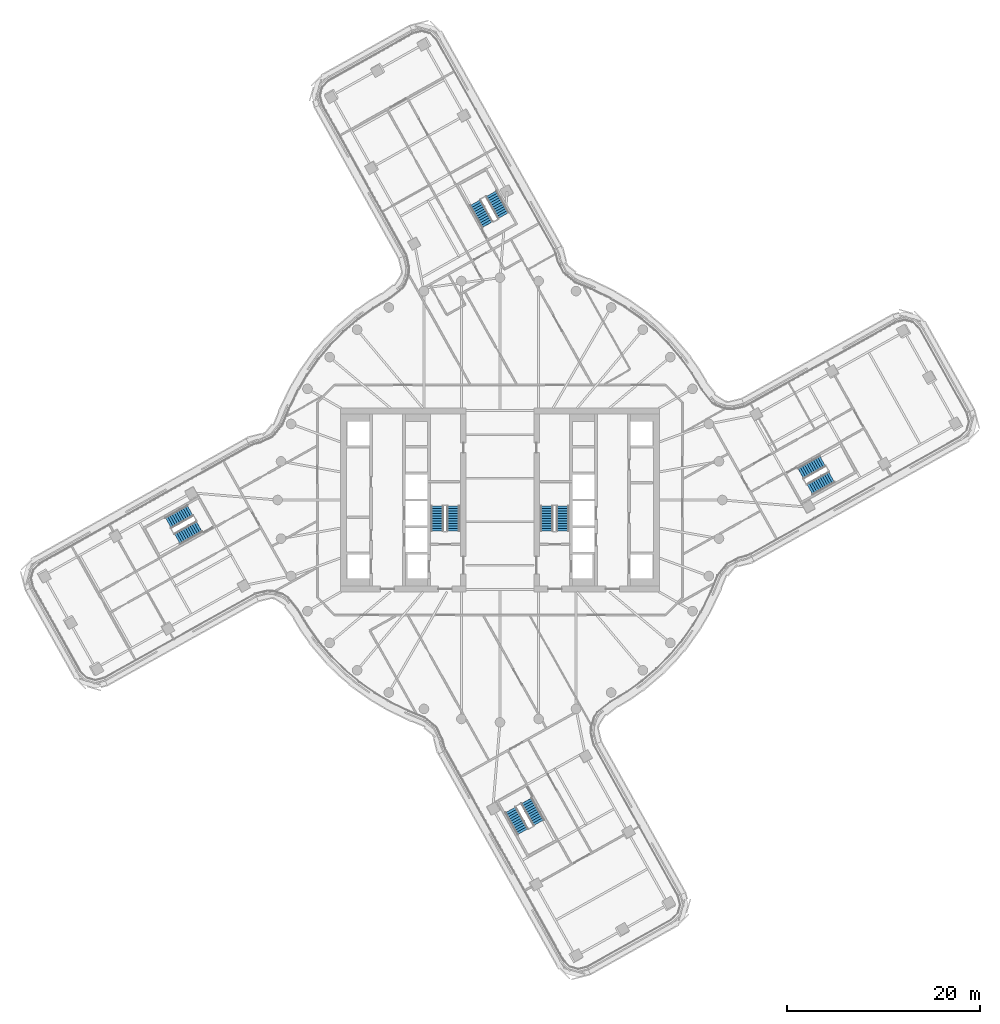
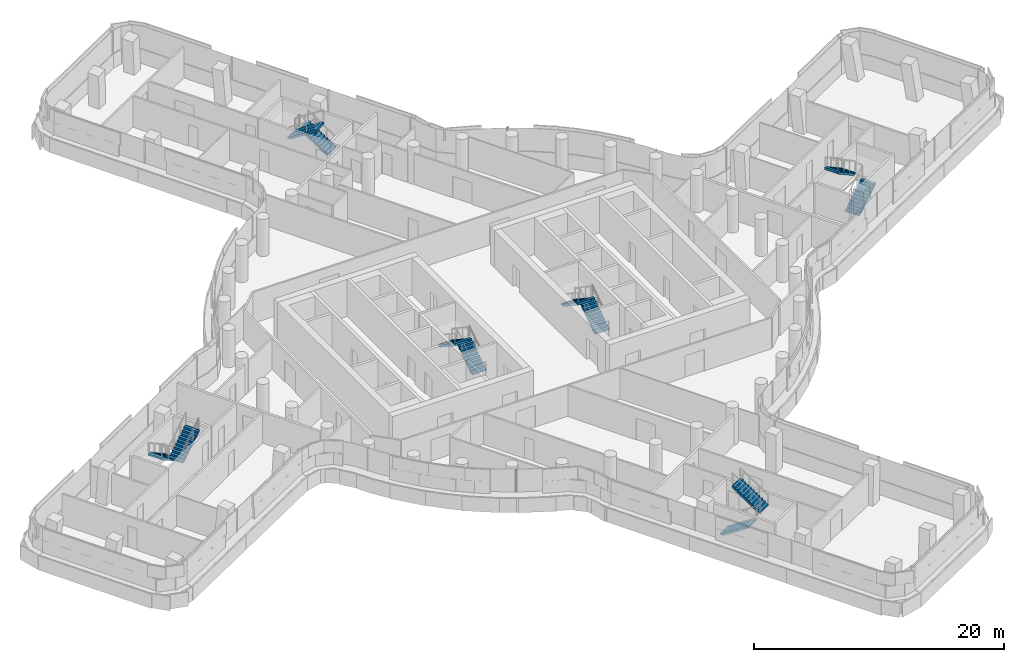
# One storey, part 26 of 34: 12 stair flights, 6 elements without a shape of their own.
"""IFC4 building model written with IfcOpenShell, lengths in metres."""

from ifc_helpers import new_model, si_unit, direction, frame, origin, place, context, subcontext, project, spatial, polyline, outline, extrude, material, type_object, element, aggregate, save


model = new_model("IFC4")

# Units and contexts
model_context = context("Model", 3, precision=1e-05, world=origin(), true_north=direction((0.0, 1.0)))
body_context = subcontext(model_context, "Body", "Model", "MODEL_VIEW")
ifc_project = project(units=[si_unit("LENGTHUNIT", "METRE"), si_unit("AREAUNIT", "SQUARE_METRE"), si_unit("VOLUMEUNIT", "CUBIC_METRE"), si_unit("PLANEANGLEUNIT", "RADIAN"), si_unit("MASSUNIT", "GRAM", prefix="KILO")], contexts=[model_context])

# Site, building, storey
site_placement = place(None, origin())
site = spatial("IfcSite", under=ifc_project, at=site_placement, CompositionType="ELEMENT")
building_placement = place(site_placement, origin())
building = spatial("IfcBuilding", under=site, at=building_placement, Name="Tamarind Cross Interchange Tower", CompositionType="ELEMENT")
storey_placement = place(building_placement, frame((0.0, 0.0, 140.5)))
storey = spatial("IfcBuildingStorey", under=building, at=storey_placement, Name="L34", CompositionType="ELEMENT", Elevation=140.5)

# Stair, stair flights
ifc_material_1 = material(Name="Exit stair")
stair_type = type_object("IfcStairType", Name="Exit stair", PredefinedType="HALF_TURN_STAIR", material=ifc_material_1)
stair_1_placement = place(storey_placement, origin())
stair_1 = element("IfcStair", 1, at=stair_1_placement, inside=storey, type_object=stair_type, Name="L34 exit stair ST1", PredefinedType="HALF_TURN_STAIR")
ifc_material_2 = material(Name="Exit stair flight")
stair_flight_type = type_object("IfcStairFlightType", Name="Exit stair flight", PredefinedType="STRAIGHT", material=ifc_material_2)
stair_flight_1_placement = place(storey_placement, frame((-4.85009765625, -3.199951171875, 0.0), z_axis=(0.0, 0.0, 1.0), x_axis=(0.0, 1.0, 0.0)))
stair_flight_1 = element("IfcStairFlight", 2, at=stair_flight_1_placement, type_object=stair_flight_type, Name="ST1 flight 1", NumberOfRisers=11, NumberOfTreads=10, PredefinedType="STRAIGHT", RiserHeight=0.170454545, TreadLength=0.26, context=body_context, shape_type="SweptSolid", body=[
    extrude(outline(polyline([(0.0, 0.0), (0.0, 0.17041015625), (0.260009765625, 0.17041015625), (0.260009765625, 0.3408203125), (0.52001953125, 0.3408203125), (0.52001953125, 0.511474609375), (0.780029296875, 0.511474609375), (0.780029296875, 0.681884765625), (1.0400390625, 0.681884765625), (1.0400390625, 0.852294921875), (1.300048828125, 0.852294921875), (1.300048828125, 1.022705078125), (1.56005859375, 1.022705078125), (1.56005859375, 1.193115234375), (1.820068359375, 1.193115234375), (1.820068359375, 1.363525390625), (2.080078125, 1.363525390625), (2.080078125, 1.5341796875), (2.340087890625, 1.5341796875), (2.340087890625, 1.70458984375), (2.60009765625, 1.70458984375), (2.60009765625, 1.875), (2.60009765625, 1.525390625), (0.2734375, 0.0), (0.0, 0.0)])), frame((0.0, 0.64990234375, 0.0), z_axis=(0.0, -1.0, 0.0), x_axis=(1.0, 0.0, 0.0)), (0.0, 0.0, 1.0), 1.300048828125),
])
stair_flight_2_placement = place(storey_placement, frame((-6.5, -0.60009765625, 1.875), z_axis=(0.0, 0.0, 1.0), x_axis=(0.0, -1.0, 0.0)))
stair_flight_2 = element("IfcStairFlight", 3, at=stair_flight_2_placement, type_object=stair_flight_type, Name="ST1 flight 2", NumberOfRisers=11, NumberOfTreads=10, PredefinedType="STRAIGHT", RiserHeight=0.170454545, TreadLength=0.26, context=body_context, shape_type="SweptSolid", body=[
    extrude(outline(polyline([(0.0, 0.0), (0.0, 0.17041015625), (0.260009765625, 0.17041015625), (0.260009765625, 0.3408203125), (0.52001953125, 0.3408203125), (0.52001953125, 0.511474609375), (0.780029296875, 0.511474609375), (0.780029296875, 0.681884765625), (1.0400390625, 0.681884765625), (1.0400390625, 0.852294921875), (1.300048828125, 0.852294921875), (1.300048828125, 1.022705078125), (1.56005859375, 1.022705078125), (1.56005859375, 1.193115234375), (1.820068359375, 1.193115234375), (1.820068359375, 1.363525390625), (2.080078125, 1.363525390625), (2.080078125, 1.5341796875), (2.340087890625, 1.5341796875), (2.340087890625, 1.70458984375), (2.60009765625, 1.70458984375), (2.60009765625, 1.7548828125), (2.612060546875, 1.7548828125), (2.612060546875, 1.533203125), (0.2734375, 0.0), (0.0, 0.0)])), frame((0.0, 0.64990234375, 0.0), z_axis=(0.0, -1.0, 0.0), x_axis=(1.0, 0.0, 0.0)), (0.0, 0.0, 1.0), 1.300048828125),
])
aggregate(stair_1, [stair_flight_1, stair_flight_2])

stair_2_placement = place(storey_placement, origin())
stair_2 = element("IfcStair", 4, at=stair_2_placement, inside=storey, type_object=stair_type, Name="L34 exit stair ST2", PredefinedType="HALF_TURN_STAIR")
stair_flight_3_placement = place(storey_placement, frame((6.5, -3.199951171875, 0.0), z_axis=(0.0, 0.0, 1.0), x_axis=(0.0, 1.0, 0.0)))
stair_flight_3 = element("IfcStairFlight", 5, at=stair_flight_3_placement, type_object=stair_flight_type, Name="ST2 flight 1", NumberOfRisers=11, NumberOfTreads=10, PredefinedType="STRAIGHT", RiserHeight=0.170454545, TreadLength=0.26, context=body_context, shape_type="SweptSolid", body=[
    extrude(outline(polyline([(0.0, 0.0), (0.0, 0.17041015625), (0.260009765625, 0.17041015625), (0.260009765625, 0.3408203125), (0.52001953125, 0.3408203125), (0.52001953125, 0.511474609375), (0.780029296875, 0.511474609375), (0.780029296875, 0.681884765625), (1.0400390625, 0.681884765625), (1.0400390625, 0.852294921875), (1.300048828125, 0.852294921875), (1.300048828125, 1.022705078125), (1.56005859375, 1.022705078125), (1.56005859375, 1.193115234375), (1.820068359375, 1.193115234375), (1.820068359375, 1.363525390625), (2.080078125, 1.363525390625), (2.080078125, 1.5341796875), (2.340087890625, 1.5341796875), (2.340087890625, 1.70458984375), (2.60009765625, 1.70458984375), (2.60009765625, 1.875), (2.60009765625, 1.525390625), (0.2734375, 0.0), (0.0, 0.0)])), frame((0.0, 0.64990234375, 0.0), z_axis=(0.0, -1.0, 0.0), x_axis=(1.0, 0.0, 0.0)), (0.0, 0.0, 1.0), 1.300048828125),
])
stair_flight_4_placement = place(storey_placement, frame((4.85009765625, -0.60009765625, 1.875), z_axis=(0.0, 0.0, 1.0), x_axis=(0.0, -1.0, 0.0)))
stair_flight_4 = element("IfcStairFlight", 6, at=stair_flight_4_placement, type_object=stair_flight_type, Name="ST2 flight 2", NumberOfRisers=11, NumberOfTreads=10, PredefinedType="STRAIGHT", RiserHeight=0.170454545, TreadLength=0.26, context=body_context, shape_type="SweptSolid", body=[
    extrude(outline(polyline([(0.0, 0.0), (0.0, 0.17041015625), (0.260009765625, 0.17041015625), (0.260009765625, 0.3408203125), (0.52001953125, 0.3408203125), (0.52001953125, 0.511474609375), (0.780029296875, 0.511474609375), (0.780029296875, 0.681884765625), (1.0400390625, 0.681884765625), (1.0400390625, 0.852294921875), (1.300048828125, 0.852294921875), (1.300048828125, 1.022705078125), (1.56005859375, 1.022705078125), (1.56005859375, 1.193115234375), (1.820068359375, 1.193115234375), (1.820068359375, 1.363525390625), (2.080078125, 1.363525390625), (2.080078125, 1.5341796875), (2.340087890625, 1.5341796875), (2.340087890625, 1.70458984375), (2.60009765625, 1.70458984375), (2.60009765625, 1.7548828125), (2.612060546875, 1.7548828125), (2.612060546875, 1.533203125), (0.2734375, 0.0), (0.0, 0.0)])), frame((0.0, 0.64990234375, 0.0), z_axis=(0.0, -1.0, 0.0), x_axis=(1.0, 0.0, 0.0)), (0.0, 0.0, 1.0), 1.300048828125),
])
aggregate(stair_2, [stair_flight_3, stair_flight_4])

stair_3_placement = place(storey_placement, origin())
stair_3 = element("IfcStair", 7, at=stair_3_placement, inside=storey, type_object=stair_type, Name="L34 exit stair ST3", PredefinedType="HALF_TURN_STAIR")
stair_flight_5_placement = place(storey_placement, frame((32.044189453125, 1.0986328125, 0.0), z_axis=(0.0, 0.0, 1.0), x_axis=(0.872458481082, 0.488688242939, 0.0)))
stair_flight_5 = element("IfcStairFlight", 8, at=stair_flight_5_placement, type_object=stair_flight_type, Name="ST3 flight 1", NumberOfRisers=11, NumberOfTreads=10, PredefinedType="STRAIGHT", RiserHeight=0.170454545, TreadLength=0.26, context=body_context, shape_type="SweptSolid", body=[
    extrude(outline(polyline([(0.0, 0.0), (0.0, 0.17041015625), (0.260009765625, 0.17041015625), (0.260009765625, 0.3408203125), (0.52001953125, 0.3408203125), (0.52001953125, 0.511474609375), (0.780029296875, 0.511474609375), (0.780029296875, 0.681884765625), (1.0400390625, 0.681884765625), (1.0400390625, 0.852294921875), (1.300048828125, 0.852294921875), (1.300048828125, 1.022705078125), (1.56005859375, 1.022705078125), (1.56005859375, 1.193115234375), (1.820068359375, 1.193115234375), (1.820068359375, 1.363525390625), (2.080078125, 1.363525390625), (2.080078125, 1.5341796875), (2.340087890625, 1.5341796875), (2.340087890625, 1.70458984375), (2.60009765625, 1.70458984375), (2.60009765625, 1.875), (2.60009765625, 1.525390625), (0.2734375, 0.0), (0.0, 0.0)])), frame((0.0, 0.64990234375, 0.0), z_axis=(0.0, -1.0, 0.0), x_axis=(1.0, 0.0, 0.0)), (0.0, 0.0, 1.0), 1.300048828125),
])
stair_flight_6_placement = place(storey_placement, frame((33.384033203125, 4.02685546875, 1.875), z_axis=(0.0, 0.0, 1.0), x_axis=(-0.872458481082, -0.488688242939, 0.0)))
stair_flight_6 = element("IfcStairFlight", 9, at=stair_flight_6_placement, type_object=stair_flight_type, Name="ST3 flight 2", NumberOfRisers=11, NumberOfTreads=10, PredefinedType="STRAIGHT", RiserHeight=0.170454545, TreadLength=0.26, context=body_context, shape_type="SweptSolid", body=[
    extrude(outline(polyline([(0.0, 0.0), (0.0, 0.17041015625), (0.260009765625, 0.17041015625), (0.260009765625, 0.3408203125), (0.52001953125, 0.3408203125), (0.52001953125, 0.511474609375), (0.780029296875, 0.511474609375), (0.780029296875, 0.681884765625), (1.0400390625, 0.681884765625), (1.0400390625, 0.852294921875), (1.300048828125, 0.852294921875), (1.300048828125, 1.022705078125), (1.56005859375, 1.022705078125), (1.56005859375, 1.193115234375), (1.820068359375, 1.193115234375), (1.820068359375, 1.363525390625), (2.080078125, 1.363525390625), (2.080078125, 1.5341796875), (2.340087890625, 1.5341796875), (2.340087890625, 1.70458984375), (2.60009765625, 1.70458984375), (2.60009765625, 1.7548828125), (2.612060546875, 1.7548828125), (2.612060546875, 1.533203125), (0.2734375, 0.0), (0.0, 0.0)])), frame((0.0, 0.64990234375, 0.0), z_axis=(0.0, -1.0, 0.0), x_axis=(1.0, 0.0, 0.0)), (0.0, 0.0, 1.0), 1.300048828125),
])
aggregate(stair_3, [stair_flight_5, stair_flight_6])

stair_4_placement = place(storey_placement, origin())
stair_4 = element("IfcStair", 10, at=stair_4_placement, inside=storey, type_object=stair_type, Name="L34 exit stair ST4", PredefinedType="HALF_TURN_STAIR")
stair_flight_7_placement = place(storey_placement, frame((0.367431640625, 29.4267578125, 0.0), z_axis=(0.0, 0.0, 1.0), x_axis=(-0.488688242939, 0.872458481082, 0.0)))
stair_flight_7 = element("IfcStairFlight", 11, at=stair_flight_7_placement, type_object=stair_flight_type, Name="ST4 flight 1", NumberOfRisers=11, NumberOfTreads=10, PredefinedType="STRAIGHT", RiserHeight=0.170454545, TreadLength=0.26, context=body_context, shape_type="SweptSolid", body=[
    extrude(outline(polyline([(0.0, 0.0), (0.0, 0.17041015625), (0.260009765625, 0.17041015625), (0.260009765625, 0.3408203125), (0.52001953125, 0.3408203125), (0.52001953125, 0.511474609375), (0.780029296875, 0.511474609375), (0.780029296875, 0.681884765625), (1.0400390625, 0.681884765625), (1.0400390625, 0.852294921875), (1.300048828125, 0.852294921875), (1.300048828125, 1.022705078125), (1.56005859375, 1.022705078125), (1.56005859375, 1.193115234375), (1.820068359375, 1.193115234375), (1.820068359375, 1.363525390625), (2.080078125, 1.363525390625), (2.080078125, 1.5341796875), (2.340087890625, 1.5341796875), (2.340087890625, 1.70458984375), (2.60009765625, 1.70458984375), (2.60009765625, 1.875), (2.60009765625, 1.525390625), (0.2734375, 0.0), (0.0, 0.0)])), frame((0.0, 0.64990234375, 0.0), z_axis=(0.0, -1.0, 0.0), x_axis=(1.0, 0.0, 0.0)), (0.0, 0.0, 1.0), 1.300048828125),
])
stair_flight_8_placement = place(storey_placement, frame((-2.560791015625, 30.7666015625, 1.875), z_axis=(0.0, 0.0, 1.0), x_axis=(0.488688242939, -0.872458481082, 0.0)))
stair_flight_8 = element("IfcStairFlight", 12, at=stair_flight_8_placement, type_object=stair_flight_type, Name="ST4 flight 2", NumberOfRisers=11, NumberOfTreads=10, PredefinedType="STRAIGHT", RiserHeight=0.170454545, TreadLength=0.26, context=body_context, shape_type="SweptSolid", body=[
    extrude(outline(polyline([(0.0, 0.0), (0.0, 0.17041015625), (0.260009765625, 0.17041015625), (0.260009765625, 0.3408203125), (0.52001953125, 0.3408203125), (0.52001953125, 0.511474609375), (0.780029296875, 0.511474609375), (0.780029296875, 0.681884765625), (1.0400390625, 0.681884765625), (1.0400390625, 0.852294921875), (1.300048828125, 0.852294921875), (1.300048828125, 1.022705078125), (1.56005859375, 1.022705078125), (1.56005859375, 1.193115234375), (1.820068359375, 1.193115234375), (1.820068359375, 1.363525390625), (2.080078125, 1.363525390625), (2.080078125, 1.5341796875), (2.340087890625, 1.5341796875), (2.340087890625, 1.70458984375), (2.60009765625, 1.70458984375), (2.60009765625, 1.7548828125), (2.612060546875, 1.7548828125), (2.612060546875, 1.533203125), (0.2734375, 0.0), (0.0, 0.0)])), frame((0.0, 0.64990234375, 0.0), z_axis=(0.0, -1.0, 0.0), x_axis=(1.0, 0.0, 0.0)), (0.0, 0.0, 1.0), 1.300048828125),
])
aggregate(stair_4, [stair_flight_7, stair_flight_8])

stair_5_placement = place(storey_placement, origin())
stair_5 = element("IfcStair", 13, at=stair_5_placement, inside=storey, type_object=stair_type, Name="L34 exit stair ST5", PredefinedType="HALF_TURN_STAIR")
stair_flight_9_placement = place(storey_placement, frame((-32.044189453125, -1.0986328125, 0.0), z_axis=(0.0, 0.0, 1.0), x_axis=(-0.872458481082, -0.488688242939, 0.0)))
stair_flight_9 = element("IfcStairFlight", 14, at=stair_flight_9_placement, type_object=stair_flight_type, Name="ST5 flight 1", NumberOfRisers=11, NumberOfTreads=10, PredefinedType="STRAIGHT", RiserHeight=0.170454545, TreadLength=0.26, context=body_context, shape_type="SweptSolid", body=[
    extrude(outline(polyline([(0.0, 0.0), (0.0, 0.17041015625), (0.260009765625, 0.17041015625), (0.260009765625, 0.3408203125), (0.52001953125, 0.3408203125), (0.52001953125, 0.511474609375), (0.780029296875, 0.511474609375), (0.780029296875, 0.681884765625), (1.0400390625, 0.681884765625), (1.0400390625, 0.852294921875), (1.300048828125, 0.852294921875), (1.300048828125, 1.022705078125), (1.56005859375, 1.022705078125), (1.56005859375, 1.193115234375), (1.820068359375, 1.193115234375), (1.820068359375, 1.363525390625), (2.080078125, 1.363525390625), (2.080078125, 1.5341796875), (2.340087890625, 1.5341796875), (2.340087890625, 1.70458984375), (2.60009765625, 1.70458984375), (2.60009765625, 1.875), (2.60009765625, 1.525390625), (0.2734375, 0.0), (0.0, 0.0)])), frame((0.0, 0.64990234375, 0.0), z_axis=(0.0, -1.0, 0.0), x_axis=(1.0, 0.0, 0.0)), (0.0, 0.0, 1.0), 1.300048828125),
])
stair_flight_10_placement = place(storey_placement, frame((-33.384033203125, -4.02685546875, 1.875), z_axis=(0.0, 0.0, 1.0), x_axis=(0.872458481082, 0.488688242939, 0.0)))
stair_flight_10 = element("IfcStairFlight", 15, at=stair_flight_10_placement, type_object=stair_flight_type, Name="ST5 flight 2", NumberOfRisers=11, NumberOfTreads=10, PredefinedType="STRAIGHT", RiserHeight=0.170454545, TreadLength=0.26, context=body_context, shape_type="SweptSolid", body=[
    extrude(outline(polyline([(0.0, 0.0), (0.0, 0.17041015625), (0.260009765625, 0.17041015625), (0.260009765625, 0.3408203125), (0.52001953125, 0.3408203125), (0.52001953125, 0.511474609375), (0.780029296875, 0.511474609375), (0.780029296875, 0.681884765625), (1.0400390625, 0.681884765625), (1.0400390625, 0.852294921875), (1.300048828125, 0.852294921875), (1.300048828125, 1.022705078125), (1.56005859375, 1.022705078125), (1.56005859375, 1.193115234375), (1.820068359375, 1.193115234375), (1.820068359375, 1.363525390625), (2.080078125, 1.363525390625), (2.080078125, 1.5341796875), (2.340087890625, 1.5341796875), (2.340087890625, 1.70458984375), (2.60009765625, 1.70458984375), (2.60009765625, 1.7548828125), (2.612060546875, 1.7548828125), (2.612060546875, 1.533203125), (0.2734375, 0.0), (0.0, 0.0)])), frame((0.0, 0.64990234375, 0.0), z_axis=(0.0, -1.0, 0.0), x_axis=(1.0, 0.0, 0.0)), (0.0, 0.0, 1.0), 1.300048828125),
])
aggregate(stair_5, [stair_flight_9, stair_flight_10])

stair_6_placement = place(storey_placement, origin())
stair_6 = element("IfcStair", 16, at=stair_6_placement, inside=storey, type_object=stair_type, Name="L34 exit stair ST6", PredefinedType="HALF_TURN_STAIR")
stair_flight_11_placement = place(storey_placement, frame((1.0986328125, -32.044189453125, 0.0), z_axis=(0.0, 0.0, 1.0), x_axis=(0.488688242939, -0.872458481082, 0.0)))
stair_flight_11 = element("IfcStairFlight", 17, at=stair_flight_11_placement, type_object=stair_flight_type, Name="ST6 flight 1", NumberOfRisers=11, NumberOfTreads=10, PredefinedType="STRAIGHT", RiserHeight=0.170454545, TreadLength=0.26, context=body_context, shape_type="SweptSolid", body=[
    extrude(outline(polyline([(0.0, 0.0), (0.0, 0.17041015625), (0.260009765625, 0.17041015625), (0.260009765625, 0.3408203125), (0.52001953125, 0.3408203125), (0.52001953125, 0.511474609375), (0.780029296875, 0.511474609375), (0.780029296875, 0.681884765625), (1.0400390625, 0.681884765625), (1.0400390625, 0.852294921875), (1.300048828125, 0.852294921875), (1.300048828125, 1.022705078125), (1.56005859375, 1.022705078125), (1.56005859375, 1.193115234375), (1.820068359375, 1.193115234375), (1.820068359375, 1.363525390625), (2.080078125, 1.363525390625), (2.080078125, 1.5341796875), (2.340087890625, 1.5341796875), (2.340087890625, 1.70458984375), (2.60009765625, 1.70458984375), (2.60009765625, 1.875), (2.60009765625, 1.525390625), (0.2734375, 0.0), (0.0, 0.0)])), frame((0.0, 0.64990234375, 0.0), z_axis=(0.0, -1.0, 0.0), x_axis=(1.0, 0.0, 0.0)), (0.0, 0.0, 1.0), 1.300048828125),
])
stair_flight_12_placement = place(storey_placement, frame((4.02685546875, -33.384033203125, 1.875), z_axis=(0.0, 0.0, 1.0), x_axis=(-0.488688242939, 0.872458481082, 0.0)))
stair_flight_12 = element("IfcStairFlight", 18, at=stair_flight_12_placement, type_object=stair_flight_type, Name="ST6 flight 2", NumberOfRisers=11, NumberOfTreads=10, PredefinedType="STRAIGHT", RiserHeight=0.170454545, TreadLength=0.26, context=body_context, shape_type="SweptSolid", body=[
    extrude(outline(polyline([(0.0, 0.0), (0.0, 0.17041015625), (0.260009765625, 0.17041015625), (0.260009765625, 0.3408203125), (0.52001953125, 0.3408203125), (0.52001953125, 0.511474609375), (0.780029296875, 0.511474609375), (0.780029296875, 0.681884765625), (1.0400390625, 0.681884765625), (1.0400390625, 0.852294921875), (1.300048828125, 0.852294921875), (1.300048828125, 1.022705078125), (1.56005859375, 1.022705078125), (1.56005859375, 1.193115234375), (1.820068359375, 1.193115234375), (1.820068359375, 1.363525390625), (2.080078125, 1.363525390625), (2.080078125, 1.5341796875), (2.340087890625, 1.5341796875), (2.340087890625, 1.70458984375), (2.60009765625, 1.70458984375), (2.60009765625, 1.7548828125), (2.612060546875, 1.7548828125), (2.612060546875, 1.533203125), (0.2734375, 0.0), (0.0, 0.0)])), frame((0.0, 0.64990234375, 0.0), z_axis=(0.0, -1.0, 0.0), x_axis=(1.0, 0.0, 0.0)), (0.0, 0.0, 1.0), 1.300048828125),
])
aggregate(stair_6, [stair_flight_11, stair_flight_12])

save(model, "model.ifc")
